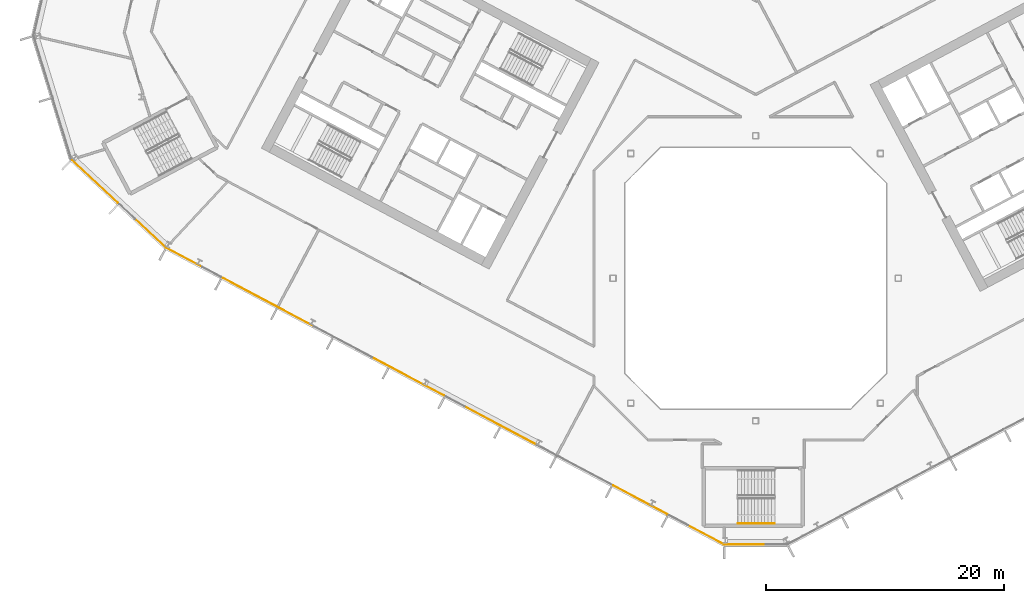
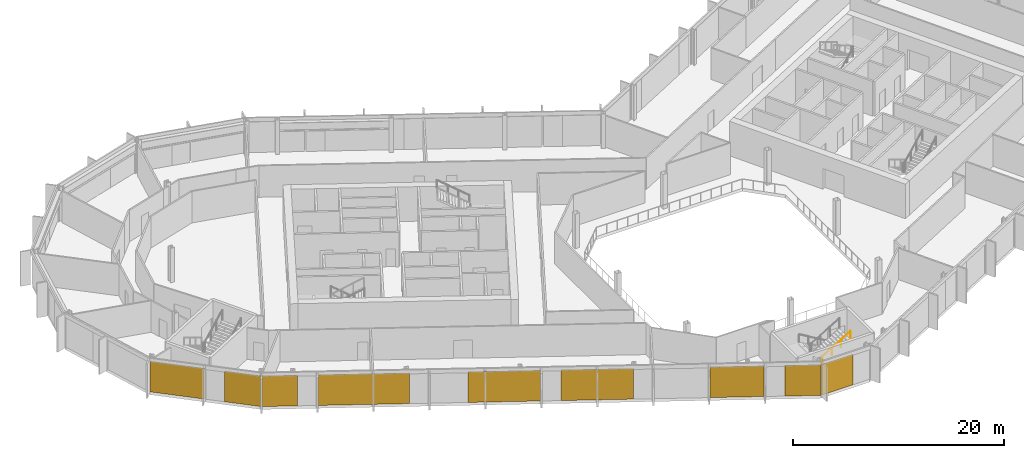
# One storey, part 19 of 28: 9 coverings, 1 railing, 3 elements without a shape of their own.
"""IFC4 building model written with IfcOpenShell, lengths in metres."""

from ifc_helpers import new_model, si_unit, direction, frame, origin, origin_2d, place, context, subcontext, project, spatial, polyline, rectangle, outline, extrude, material, layer, layer_set, type_object, element, aggregate, save


model = new_model("IFC4")

# Units and contexts
model_context = context("Model", 3, precision=1e-05, world=origin(), true_north=direction((0.0, 1.0)))
body_context = subcontext(model_context, "Body", "Model", "MODEL_VIEW")
ifc_project = project(units=[si_unit("LENGTHUNIT", "METRE"), si_unit("AREAUNIT", "SQUARE_METRE"), si_unit("VOLUMEUNIT", "CUBIC_METRE"), si_unit("PLANEANGLEUNIT", "RADIAN"), si_unit("MASSUNIT", "GRAM", prefix="KILO")], contexts=[model_context])

# Site, building, storey
site_placement = place(None, origin())
site = spatial("IfcSite", under=ifc_project, at=site_placement, CompositionType="ELEMENT")
building_placement = place(site_placement, origin())
building = spatial("IfcBuilding", under=site, at=building_placement, Name="Cormorant Relay Tower", CompositionType="ELEMENT")
storey_placement = place(building_placement, frame((0.0, 0.0, 142.199951171875)))
storey = spatial("IfcBuildingStorey", under=building, at=storey_placement, Name="L29", CompositionType="ELEMENT", Elevation=142.199951171875)

# Curtain wall, covering
ifc_material_1 = material(Name="Aluminium 6063-T6 anodised bronze", Category="aluminium")
ifc_layer_1 = layer(ifc_material_1, 0.199951171875)
ifc_layer_set_1 = layer_set([ifc_layer_1], Name="CW1 unitised bronze curtain wall with vertical fins")
curtain_wall_type = type_object("IfcCurtainWallType", Name="CW1 unitised bronze curtain wall with vertical fins", PredefinedType="NOTDEFINED", material=ifc_layer_set_1)
curtain_wall_1_placement = place(storey_placement, origin())
curtain_wall_1 = element("IfcCurtainWall", 1, at=curtain_wall_1_placement, inside=storey, type_object=curtain_wall_type, Name="CW1 curtain wall 1", PredefinedType="NOTDEFINED")
ifc_material_2 = material(Name="Pale bronze anodised aluminium insulated panel", Category="aluminium")
ifc_layer_2 = layer(ifc_material_2, 0.0400390625)
ifc_layer_set_2 = layer_set([ifc_layer_2], Name="CW1 pale bronze insulated panel 40")
covering_type = type_object("IfcCoveringType", Name="CW1 pale bronze insulated panel 40", PredefinedType="CLADDING", material=ifc_layer_set_2)
covering_1_placement = place(storey_placement, frame((-0.862548828125, -22.3955078125, 0.0), z_axis=(0.0, 0.0, 1.0), x_axis=(1.0, 0.0, 0.0)))
covering_1 = element("IfcCovering", 2, at=covering_1_placement, type_object=covering_type, Name="CW1 panel S00", PredefinedType="CLADDING", context=body_context, shape_type="SweptSolid", body=[
    extrude(rectangle(XDim=3.422607421875, YDim=0.0400390625, at=origin_2d()), origin(), (0.0, 0.0, 1.0), 3.550048828125),
])
aggregate(curtain_wall_1, [covering_1])

# Curtain wall, coverings
curtain_wall_2_placement = place(storey_placement, origin())
curtain_wall_2 = element("IfcCurtainWall", 3, at=curtain_wall_2_placement, inside=storey, type_object=curtain_wall_type, Name="CW1 curtain wall 15", PredefinedType="NOTDEFINED")
covering_2_placement = place(storey_placement, frame((-55.56787109375, 8.1298828125, 0.0), z_axis=(0.0, 0.0, 1.0), x_axis=(0.731353701619, -0.681998360062, 0.0)))
covering_2 = element("IfcCovering", 4, at=covering_2_placement, type_object=covering_type, Name="CW1 panel S00", PredefinedType="CLADDING", context=body_context, shape_type="SweptSolid", body=[
    extrude(rectangle(XDim=5.28515625, YDim=0.0400390625, at=origin_2d()), origin(), (0.0, 0.0, 1.0), 3.550048828125),
])
covering_3_placement = place(storey_placement, frame((-50.906982421875, 3.78369140625, 0.0), z_axis=(0.0, 0.0, 1.0), x_axis=(0.731353701619, -0.681998360062, 0.0)))
covering_3 = element("IfcCovering", 5, at=covering_3_placement, type_object=covering_type, Name="CW1 panel S02", PredefinedType="CLADDING", context=body_context, shape_type="SweptSolid", body=[
    extrude(rectangle(XDim=3.560302734375, YDim=0.0400390625, at=origin_2d()), origin(), (0.0, 0.0, 1.0), 3.550048828125),
])
aggregate(curtain_wall_2, [covering_2, covering_3])

curtain_wall_3_placement = place(storey_placement, origin())
curtain_wall_3 = element("IfcCurtainWall", 6, at=curtain_wall_3_placement, inside=storey, type_object=curtain_wall_type, Name="CW1 curtain wall 16", PredefinedType="NOTDEFINED")
covering_4_placement = place(storey_placement, frame((-48.048583984375, 1.7412109375, 0.0), z_axis=(0.0, 0.0, 1.0), x_axis=(0.882947592859, -0.469471562786, 0.0)))
covering_4 = element("IfcCovering", 7, at=covering_4_placement, type_object=covering_type, Name="CW1 panel S00", PredefinedType="CLADDING", context=body_context, shape_type="SweptSolid", body=[
    extrude(rectangle(XDim=3.36669921875, YDim=0.0400390625, at=origin_2d()), origin(), (0.0, 0.0, 1.0), 3.550048828125),
])
covering_5_placement = place(storey_placement, frame((-41.007080078125, -2.002685546875, 0.0), z_axis=(0.0, 0.0, 1.0), x_axis=(0.882947592859, -0.469471562786, 0.0)))
covering_5 = element("IfcCovering", 8, at=covering_5_placement, type_object=covering_type, Name="CW1 panel S02", PredefinedType="CLADDING", context=body_context, shape_type="SweptSolid", body=[
    extrude(rectangle(XDim=8.68310546875, YDim=0.0400390625, at=origin_2d()), origin(), (0.0, 0.0, 1.0), 3.550048828125),
])
covering_6_placement = place(storey_placement, frame((-29.234619140625, -8.26220703125, 0.0), z_axis=(0.0, 0.0, 1.0), x_axis=(0.882947592859, -0.469471562786, 0.0)))
covering_6 = element("IfcCovering", 9, at=covering_6_placement, type_object=covering_type, Name="CW1 panel S05", PredefinedType="CLADDING", context=body_context, shape_type="SweptSolid", body=[
    extrude(rectangle(XDim=6.88330078125, YDim=0.0400390625, at=origin_2d()), origin(), (0.0, 0.0, 1.0), 3.550048828125),
])
covering_7_placement = place(storey_placement, frame((-21.435302734375, -12.4091796875, 0.0), z_axis=(0.0, 0.0, 1.0), x_axis=(0.882947592859, -0.469471562786, 0.0)))
covering_7 = element("IfcCovering", 10, at=covering_7_placement, type_object=covering_type, Name="CW1 panel S07", PredefinedType="CLADDING", context=body_context, shape_type="SweptSolid", body=[
    extrude(rectangle(XDim=6.88330078125, YDim=0.0400390625, at=origin_2d()), origin(), (0.0, 0.0, 1.0), 3.550048828125),
])
covering_8_placement = place(storey_placement, frame((-9.69970703125, -18.649169921875, 0.0), z_axis=(0.0, 0.0, 1.0), x_axis=(0.882947592859, -0.469471562786, 0.0)))
covering_8 = element("IfcCovering", 11, at=covering_8_placement, type_object=covering_type, Name="CW1 panel S10", PredefinedType="CLADDING", context=body_context, shape_type="SweptSolid", body=[
    extrude(rectangle(XDim=5.16650390625, YDim=0.0400390625, at=origin_2d()), origin(), (0.0, 0.0, 1.0), 3.550048828125),
])
covering_9_placement = place(storey_placement, frame((-4.177490234375, -21.58544921875, 0.0), z_axis=(0.0, 0.0, 1.0), x_axis=(0.882947592859, -0.469471562786, 0.0)))
covering_9 = element("IfcCovering", 12, at=covering_9_placement, type_object=covering_type, Name="CW1 panel S12", PredefinedType="CLADDING", context=body_context, shape_type="SweptSolid", body=[
    extrude(rectangle(XDim=3.441650390625, YDim=0.0400390625, at=origin_2d()), origin(), (0.0, 0.0, 1.0), 3.550048828125),
])
aggregate(curtain_wall_3, [covering_4, covering_5, covering_6, covering_7, covering_8, covering_9])

# Railing
ifc_material_3 = material(Name="Steel ASTM A572 Grade 50 (Fy 345 MPa)", Category="steel")
railing_type = type_object("IfcRailingType", Name="Stair handrail 900", PredefinedType="HANDRAIL", material=ifc_material_3)
railing_placement = place(storey_placement, frame((-1.47998046875, -20.625, 2.166748046875)))
element("IfcRailing", 13, at=railing_placement, inside=storey, type_object=railing_type, Name="L29 RK1 stair handrail 2", PredefinedType="HANDRAIL", context=body_context, shape_type="SweptSolid", body=[
    extrude(outline(polyline([(0.022216796875, 0.00927734375), (0.00927734375, 0.022216796875), (-0.00927734375, 0.022216796875), (-0.022216796875, 0.00927734375), (-0.022216796875, -0.00927734375), (-0.00927734375, -0.022216796875), (0.00927734375, -0.022216796875), (0.022216796875, -0.00927734375), (0.022216796875, 0.00927734375)])), frame((0.0, 0.0, 0.8759765625), z_axis=(0.859308565015, 0.0, 0.511457515432), x_axis=(0.0, 1.0, 0.0)), (0.0, 0.0, 1.0), 3.58447265625),
    extrude(outline(polyline([(0.019287109375, 0.008056640625), (0.008056640625, 0.019287109375), (-0.008056640625, 0.019287109375), (-0.019287109375, 0.008056640625), (-0.019287109375, -0.008056640625), (-0.008056640625, -0.019287109375), (0.008056640625, -0.019287109375), (0.019287109375, -0.008056640625), (0.019287109375, 0.008056640625)])), origin(), (0.0, 0.0, 1.0), 0.851806640625),
    extrude(outline(polyline([(0.019287109375, 0.008056640625), (0.008056640625, 0.019287109375), (-0.008056640625, 0.019287109375), (-0.019287109375, 0.008056640625), (-0.019287109375, -0.008056640625), (-0.008056640625, -0.019287109375), (0.008056640625, -0.019287109375), (0.019287109375, -0.008056640625), (0.019287109375, 0.008056640625)])), frame((1.026611328125, 0.0, 0.611083984375)), (0.0, 0.0, 1.0), 0.851806640625),
    extrude(outline(polyline([(0.019287109375, 0.008056640625), (0.008056640625, 0.019287109375), (-0.008056640625, 0.019287109375), (-0.019287109375, 0.008056640625), (-0.019287109375, -0.008056640625), (-0.008056640625, -0.019287109375), (0.008056640625, -0.019287109375), (0.019287109375, -0.008056640625), (0.019287109375, 0.008056640625)])), frame((2.053466796875, 0.0, 1.22216796875)), (0.0, 0.0, 1.0), 0.851806640625),
    extrude(outline(polyline([(0.019287109375, 0.008056640625), (0.008056640625, 0.019287109375), (-0.008056640625, 0.019287109375), (-0.019287109375, 0.008056640625), (-0.019287109375, -0.008056640625), (-0.008056640625, -0.019287109375), (0.008056640625, -0.019287109375), (0.019287109375, -0.008056640625), (0.019287109375, 0.008056640625)])), frame((3.080078125, 0.0, 1.833251953125)), (0.0, 0.0, 1.0), 0.851806640625),
])

save(model, "model.ifc")
